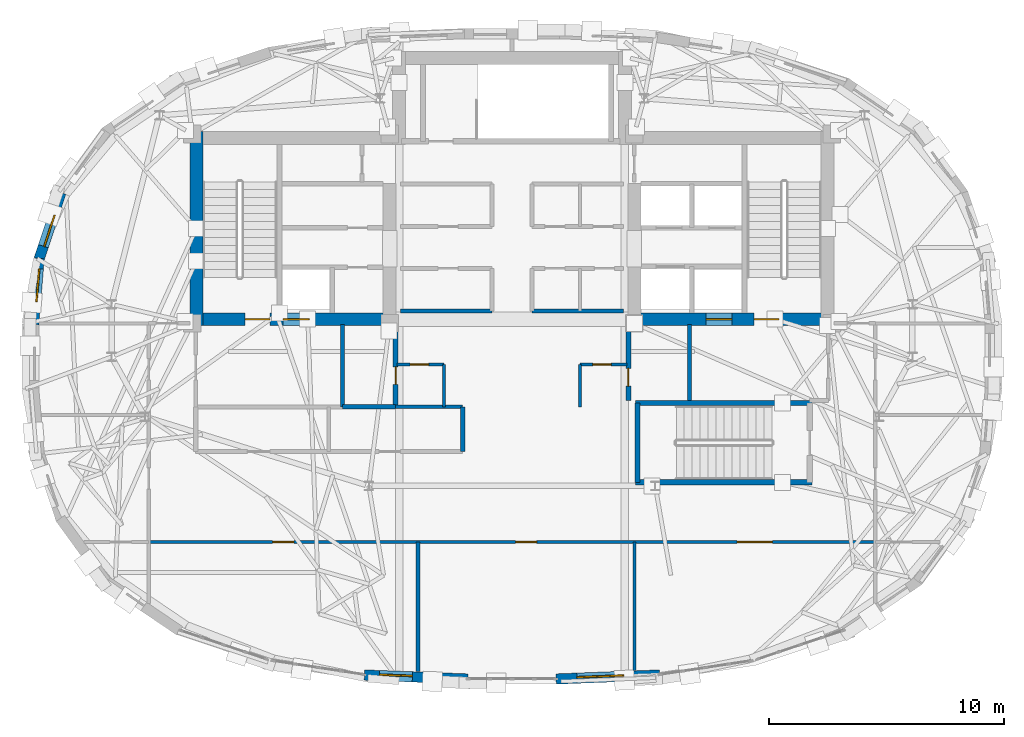
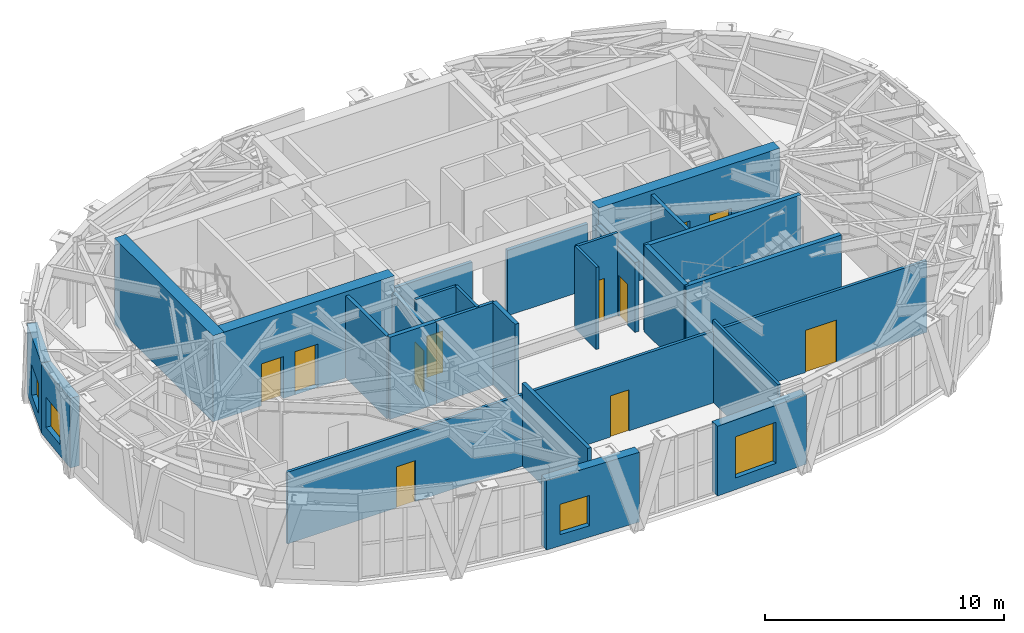
# One storey, part 10 of 16: 26 walls, 11 doors, 4 windows, 15 openings.
"""IFC4 building model written with IfcOpenShell, lengths in metres."""

from ifc_helpers import new_model, si_unit, direction, frame, frame_2d, origin, place, context, subcontext, project, spatial, rectangle, extrude, material, layer, layer_set, type_object, element, fill, save


model = new_model("IFC4")

# Units and contexts
model_context = context("Model", 3, precision=1e-05, world=origin(), true_north=direction((0.0, 1.0)))
body_context = subcontext(model_context, "Body", "Model", "MODEL_VIEW")
ifc_project = project(units=[si_unit("LENGTHUNIT", "METRE"), si_unit("AREAUNIT", "SQUARE_METRE"), si_unit("VOLUMEUNIT", "CUBIC_METRE"), si_unit("PLANEANGLEUNIT", "RADIAN"), si_unit("MASSUNIT", "GRAM", prefix="KILO")], contexts=[model_context])

# Site, building, storey
site_placement = place(None, origin())
site = spatial("IfcSite", under=ifc_project, at=site_placement, CompositionType="ELEMENT")
building_placement = place(site_placement, origin())
building = spatial("IfcBuilding", under=site, at=building_placement, Name="Keldmark Tower", CompositionType="ELEMENT")
storey_placement = place(building_placement, frame((0.0, 0.0, 264.800048828125)))
storey = spatial("IfcBuildingStorey", under=building, at=storey_placement, Name="L75", CompositionType="ELEMENT", Elevation=264.800048828125)

# Wall, openings, doors
ifc_material_1 = material(Name="Acoustic Double-Layer Gypsum Corridor Partition", Category="gypsum")
ifc_layer_1 = layer(ifc_material_1, 0.139892578125)
ifc_layer_set_1 = layer_set([ifc_layer_1], Name="Acoustic Double-Layer Gypsum Corridor Partition")
wall_type_1 = type_object("IfcWallType", Name="Acoustic Corridor Partition 140 mm", PredefinedType="PARTITIONING", material=ifc_layer_set_1)
wall_1_placement = place(storey_placement, frame((-15.449951171875, -7.89990234375, 0.0), z_axis=(0.0, 0.0, 1.0), x_axis=(1.0, 0.0, 0.0)))
wall_1 = element("IfcWall", 1, at=wall_1_placement, inside=storey, type_object=wall_type_1, Name="L75 Acoustic Corridor Partition 140 mm COR-S", PredefinedType="PARTITIONING", context=body_context, shape_type="SweptSolid", body=[
    extrude(rectangle(XDim=30.89990234375, YDim=0.139892578125, at=frame_2d((15.449951171875, 0.0))), origin(), (0.0, 0.0, 1.0), 3.660888671875),
])
opening_1_placement = place(wall_1_placement, frame((5.27490234375, 0.0, 0.0)))
opening_1 = element("IfcOpeningElement", 2, at=opening_1_placement, cuts=wall_1, Name="Opening D-IN090", PredefinedType="OPENING", context=body_context, shape_type="SweptSolid", body=[
    extrude(rectangle(XDim=0.89990234375, YDim=2.10009765625, at=frame_2d((0.449951171875, 1.050048828125))), frame((0.0, 0.079833984375, 0.0), z_axis=(0.0, -1.0, 0.0), x_axis=(1.0, 0.0, 0.0)), (0.0, 0.0, 1.0), 0.159912109375),
])
opening_2_placement = place(wall_1_placement, frame((15.60009765625, 0.0, 0.0)))
opening_2 = element("IfcOpeningElement", 3, at=opening_2_placement, cuts=wall_1, Name="Opening D-IN090", PredefinedType="OPENING", context=body_context, shape_type="SweptSolid", body=[
    extrude(rectangle(XDim=0.89990234375, YDim=2.10009765625, at=frame_2d((0.449951171875, 1.050048828125))), frame((0.0, 0.079833984375, 0.0), z_axis=(0.0, -1.0, 0.0), x_axis=(1.0, 0.0, 0.0)), (0.0, 0.0, 1.0), 0.159912109375),
])
opening_3_placement = place(wall_1_placement, frame((25.02490234375, 0.0, 0.0)))
opening_3 = element("IfcOpeningElement", 4, at=opening_3_placement, cuts=wall_1, Name="Opening D-CF150", PredefinedType="OPENING", context=body_context, shape_type="SweptSolid", body=[
    extrude(rectangle(XDim=1.5, YDim=2.14990234375, at=frame_2d((0.75, 1.074951171875))), frame((0.0, 0.079833984375, 0.0), z_axis=(0.0, -1.0, 0.0), x_axis=(1.0, 0.0, 0.0)), (0.0, 0.0, 1.0), 0.159912109375),
])
ifc_material_2 = material(Name="Acoustic Timber and Tempered Glass Double Door", Category="wood")
door_type_1 = type_object("IfcDoorType", Name="Conference Double Door 1500x2150", OperationType="DOUBLE_DOOR_SINGLE_SWING", PredefinedType="DOOR", material=ifc_material_2)
door_1_placement = place(opening_3_placement, origin())
door_1 = element("IfcDoor", 5, at=door_1_placement, inside=storey, type_object=door_type_1, Name="L75 Conference Double Door 1500x2150 D-SR-3-L75", OperationType="DOUBLE_DOOR_SINGLE_SWING", OverallHeight=2.14990234375, OverallWidth=1.5, PredefinedType="DOOR", context=body_context, shape_type="SweptSolid", body=[
    extrude(rectangle(XDim=1.5, YDim=2.14990234375, at=frame_2d((0.75, 1.074951171875))), frame((0.0, 0.02490234375, 0.0), z_axis=(0.0, -1.0, 0.0), x_axis=(1.0, 0.0, 0.0)), (0.0, 0.0, 1.0), 0.050048828125),
])
fill(opening_3, door_1)
ifc_material_3 = material(Name="Stained American White Oak Veneer", Category="wood")
door_type_2 = type_object("IfcDoorType", Name="Interior Door 900x2100", OperationType="NOTDEFINED", PredefinedType="DOOR", material=ifc_material_3)
door_2_placement = place(opening_1_placement, origin())
door_2 = element("IfcDoor", 6, at=door_2_placement, inside=storey, type_object=door_type_2, Name="L75 Interior Door 900x2100 D-SR-1-L75", OperationType="SINGLE_SWING_LEFT", OverallHeight=2.10009765625, OverallWidth=0.89990234375, PredefinedType="DOOR", context=body_context, shape_type="SweptSolid", body=[
    extrude(rectangle(XDim=0.89990234375, YDim=2.10009765625, at=frame_2d((0.449951171875, 1.050048828125))), frame((0.0, 0.02490234375, 0.0), z_axis=(0.0, -1.0, 0.0), x_axis=(1.0, 0.0, 0.0)), (0.0, 0.0, 1.0), 0.050048828125),
])
fill(opening_1, door_2)
door_3_placement = place(opening_2_placement, origin())
door_3 = element("IfcDoor", 7, at=door_3_placement, inside=storey, type_object=door_type_2, Name="L75 Interior Door 900x2100 D-SR-2-L75", OperationType="SINGLE_SWING_RIGHT", OverallHeight=2.10009765625, OverallWidth=0.89990234375, PredefinedType="DOOR", context=body_context, shape_type="SweptSolid", body=[
    extrude(rectangle(XDim=0.89990234375, YDim=2.10009765625, at=frame_2d((0.449951171875, 1.050048828125))), frame((0.0, 0.02490234375, 0.0), z_axis=(0.0, -1.0, 0.0), x_axis=(1.0, 0.0, 0.0)), (0.0, 0.0, 1.0), 0.050048828125),
])
fill(opening_2, door_3)

# Walls
ifc_material_4 = material(Name="STC-58 Insulated Tenant Demising Gypsum Partition", Category="gypsum")
ifc_layer_2 = layer(ifc_material_4, 0.175048828125)
ifc_layer_set_2 = layer_set([ifc_layer_2], Name="STC-58 Insulated Tenant Demising Gypsum Partition")
wall_type_2 = type_object("IfcWallType", Name="Demising Suite Partition 175 mm", PredefinedType="PARTITIONING", material=ifc_layer_set_2)
wall_2_placement = place(storey_placement, frame((-4.0, -13.41455078125, 0.0), z_axis=(0.0, 0.0, 1.0), x_axis=(0.0, 1.0, 0.0)))
element("IfcWall", 8, at=wall_2_placement, inside=storey, type_object=wall_type_2, Name="L75 Demising Suite Partition 175 mm S-DIV-1", PredefinedType="PARTITIONING", context=body_context, shape_type="SweptSolid", body=[
    extrude(rectangle(XDim=5.5146484375, YDim=0.175048828125, at=frame_2d((2.75732421875, 0.0))), origin(), (0.0, 0.0, 1.0), 4.199951171875),
])
ifc_material_5 = material(Name="Heavy Acoustic Plumbing Chase Gypsum Assembly", Category="gypsum")
ifc_layer_3 = layer(ifc_material_5, 0.18994140625)
ifc_layer_set_3 = layer_set([ifc_layer_3], Name="Heavy Acoustic Plumbing Chase Gypsum Assembly")
wall_type_3 = type_object("IfcWallType", Name="Heavy Wet Wall 190 mm", PredefinedType="PLUMBINGWALL", material=ifc_layer_set_3)
wall_3_placement = place(storey_placement, frame((-2.10009765625, -4.050048828125, 0.0), z_axis=(0.0, 0.0, 1.0), x_axis=(0.0, 1.0, 0.0)))
element("IfcWall", 9, at=wall_3_placement, inside=storey, type_object=wall_type_3, Name="L75 Heavy Wet Wall 190 mm SPK-W-E", PredefinedType="PLUMBINGWALL", context=body_context, shape_type="SweptSolid", body=[
    extrude(rectangle(XDim=1.900146484375, YDim=0.18994140625, at=frame_2d((0.9501953125, 0.0))), origin(), (0.0, 0.0, 1.0), 4.199951171875),
])
ifc_material_6 = material(Name="Concrete C50/60", Category="concrete")
ifc_layer_4 = layer(ifc_material_6, 0.550048828125)
ifc_layer_set_4 = layer_set([ifc_layer_4], Name="Concrete C50/60")
wall_type_4 = type_object("IfcWallType", Name="High-Rise Core Shear Wall 550 mm", PredefinedType="SHEAR", material=ifc_layer_set_4)
wall_4_placement = place(storey_placement, frame((-13.425048828125, 1.300048828125, 0.0), z_axis=(0.0, 0.0, 1.0), x_axis=(0.0, 1.0, 0.0)))
element("IfcWall", 10, at=wall_4_placement, inside=storey, type_object=wall_type_4, Name="L75 West Core Outer Shear Wall", PredefinedType="SHEAR", context=body_context, shape_type="SweptSolid", body=[
    extrude(rectangle(XDim=8.25, YDim=0.550048828125, at=frame_2d((4.125, 0.0))), origin(), (0.0, 0.0, 1.0), 4.39990234375),
])

# Wall, openings, doors
wall_5_placement = place(storey_placement, frame((-4.925048828125, 1.574951171875, 0.0), z_axis=(0.0, 0.0, 1.0), x_axis=(-1.0, 0.0, 0.0)))
wall_5 = element("IfcWall", 11, at=wall_5_placement, inside=storey, type_object=wall_type_4, Name="L75 West Core South Shear Wall", PredefinedType="SHEAR", context=body_context, shape_type="SweptSolid", body=[
    extrude(rectangle(XDim=8.77490234375, YDim=0.550048828125, at=frame_2d((4.387451171875, 0.0))), origin(), (0.0, 0.0, 1.0), 4.39990234375),
])
opening_4_placement = place(wall_5_placement, frame((5.375, 0.0, 0.0)))
opening_4 = element("IfcOpeningElement", 12, at=opening_4_placement, cuts=wall_5, Name="Opening D-ST105", PredefinedType="OPENING", context=body_context, shape_type="SweptSolid", body=[
    extrude(rectangle(XDim=1.050048828125, YDim=2.14990234375, at=frame_2d((0.52490234375, 1.074951171875))), frame((0.0, 0.284912109375, 0.0), z_axis=(0.0, -1.0, 0.0), x_axis=(1.0, 0.0, 0.0)), (0.0, 0.0, 1.0), 0.570068359375),
])
opening_5_placement = place(wall_5_placement, frame((3.705078125, 0.0, 0.0)))
opening_5 = element("IfcOpeningElement", 13, at=opening_5_placement, cuts=wall_5, Name="Opening LD-110", PredefinedType="OPENING", context=body_context, shape_type="SweptSolid", body=[
    extrude(rectangle(XDim=1.10009765625, YDim=2.199951171875, at=frame_2d((0.550048828125, 1.10009765625))), frame((0.0, 0.284912109375, 0.0), z_axis=(0.0, -1.0, 0.0), x_axis=(1.0, 0.0, 0.0)), (0.0, 0.0, 1.0), 0.570068359375),
])
ifc_material_7 = material(Name="Brushed Bronze Hoistway Sliding Leaf", Category="metal")
door_type_3 = type_object("IfcDoorType", Name="Lift Landing Sliding Door 1100x2200", OperationType="SLIDING_TO_LEFT", PredefinedType="DOOR", material=ifc_material_7)
door_4_placement = place(opening_5_placement, origin())
door_4 = element("IfcDoor", 14, at=door_4_placement, inside=storey, type_object=door_type_3, Name="L75 Lift Landing Sliding Door 1100x2200 LD-EL-FS1-L75", OperationType="SLIDING_TO_LEFT", OverallHeight=2.199951171875, OverallWidth=1.10009765625, PredefinedType="DOOR", context=body_context, shape_type="SweptSolid", body=[
    extrude(rectangle(XDim=1.10009765625, YDim=2.199951171875, at=frame_2d((0.550048828125, 1.10009765625))), frame((0.0, 0.02490234375, 0.0), z_axis=(0.0, -1.0, 0.0), x_axis=(1.0, 0.0, 0.0)), (0.0, 0.0, 1.0), 0.050048828125),
])
fill(opening_5, door_4)
ifc_material_8 = material(Name="Hollow Metal Fire-Rated Door Assembly", Category="metal")
door_type_4 = type_object("IfcDoorType", Name="Stair Fire Door 1050x2150", OperationType="NOTDEFINED", PredefinedType="DOOR", material=ifc_material_8)
door_5_placement = place(opening_4_placement, origin())
door_5 = element("IfcDoor", 15, at=door_5_placement, inside=storey, type_object=door_type_4, Name="L75 Stair Fire Door 1050x2150 D-ST1-L75", OperationType="SINGLE_SWING_RIGHT", OverallHeight=2.14990234375, OverallWidth=1.050048828125, PredefinedType="DOOR", context=body_context, shape_type="SweptSolid", body=[
    extrude(rectangle(XDim=1.050048828125, YDim=2.14990234375, at=frame_2d((0.52490234375, 1.074951171875))), frame((0.0, 0.02490234375, 0.0), z_axis=(0.0, -1.0, 0.0), x_axis=(1.0, 0.0, 0.0)), (0.0, 0.0, 1.0), 0.050048828125),
])
fill(opening_4, door_5)

wall_6_placement = place(storey_placement, frame((13.699951171875, 1.574951171875, 0.0), z_axis=(0.0, 0.0, 1.0), x_axis=(-1.0, 0.0, 0.0)))
wall_6 = element("IfcWall", 16, at=wall_6_placement, inside=storey, type_object=wall_type_4, Name="L75 East Core South Shear Wall", PredefinedType="SHEAR", context=body_context, shape_type="SweptSolid", body=[
    extrude(rectangle(XDim=8.77490234375, YDim=0.550048828125, at=frame_2d((4.387451171875, 0.0))), origin(), (0.0, 0.0, 1.0), 4.39990234375),
])
opening_6_placement = place(wall_6_placement, frame((2.35009765625, 0.0, 0.0)))
opening_6 = element("IfcOpeningElement", 17, at=opening_6_placement, cuts=wall_6, Name="Opening D-ST105", PredefinedType="OPENING", context=body_context, shape_type="SweptSolid", body=[
    extrude(rectangle(XDim=1.050048828125, YDim=2.14990234375, at=frame_2d((0.52490234375, 1.074951171875))), frame((0.0, 0.284912109375, 0.0), z_axis=(0.0, -1.0, 0.0), x_axis=(1.0, 0.0, 0.0)), (0.0, 0.0, 1.0), 0.570068359375),
])
opening_7_placement = place(wall_6_placement, frame((4.35009765625, 0.0, 0.0)))
opening_7 = element("IfcOpeningElement", 18, at=opening_7_placement, cuts=wall_6, Name="Opening LD-110", PredefinedType="OPENING", context=body_context, shape_type="SweptSolid", body=[
    extrude(rectangle(XDim=1.10009765625, YDim=2.199951171875, at=frame_2d((0.550048828125, 1.10009765625))), frame((0.0, 0.284912109375, 0.0), z_axis=(0.0, -1.0, 0.0), x_axis=(1.0, 0.0, 0.0)), (0.0, 0.0, 1.0), 0.570068359375),
])
door_6_placement = place(opening_7_placement, origin())
door_6 = element("IfcDoor", 19, at=door_6_placement, inside=storey, type_object=door_type_3, Name="L75 Lift Landing Sliding Door 1100x2200 LD-EL-FS2-L75", OperationType="SLIDING_TO_LEFT", OverallHeight=2.199951171875, OverallWidth=1.10009765625, PredefinedType="DOOR", context=body_context, shape_type="SweptSolid", body=[
    extrude(rectangle(XDim=1.10009765625, YDim=2.199951171875, at=frame_2d((0.550048828125, 1.10009765625))), frame((0.0, 0.02490234375, 0.0), z_axis=(0.0, -1.0, 0.0), x_axis=(1.0, 0.0, 0.0)), (0.0, 0.0, 1.0), 0.050048828125),
])
fill(opening_7, door_6)
door_7_placement = place(opening_6_placement, origin())
door_7 = element("IfcDoor", 20, at=door_7_placement, inside=storey, type_object=door_type_4, Name="L75 Stair Fire Door 1050x2150 D-ST2-L75", OperationType="SINGLE_SWING_LEFT", OverallHeight=2.14990234375, OverallWidth=1.050048828125, PredefinedType="DOOR", context=body_context, shape_type="SweptSolid", body=[
    extrude(rectangle(XDim=1.050048828125, YDim=2.14990234375, at=frame_2d((0.52490234375, 1.074951171875))), frame((0.0, 0.02490234375, 0.0), z_axis=(0.0, -1.0, 0.0), x_axis=(1.0, 0.0, 0.0)), (0.0, 0.0, 1.0), 0.050048828125),
])
fill(opening_6, door_7)

# Wall, opening, door
ifc_material_9 = material(Name="Acoustic Gypsum Board Interior Partition", Category="gypsum")
ifc_layer_5 = layer(ifc_material_9, 0.1298828125)
ifc_layer_set_5 = layer_set([ifc_layer_5], Name="Acoustic Gypsum Board Interior Partition")
wall_type_5 = type_object("IfcWallType", Name="Interior Partition 130 mm", PredefinedType="PARTITIONING", material=ifc_layer_set_5)
wall_7_placement = place(storey_placement, frame((-4.8798828125, -0.35009765625, 0.0), z_axis=(0.0, 0.0, 1.0), x_axis=(1.0, 0.0, 0.0)))
wall_7 = element("IfcWall", 21, at=wall_7_placement, inside=storey, type_object=wall_type_5, Name="L75 Interior Partition 130 mm CSC-W-N", PredefinedType="PARTITIONING", context=body_context, shape_type="SweptSolid", body=[
    extrude(rectangle(XDim=1.989990234375, YDim=0.1298828125, at=frame_2d((0.9951171875, 0.0))), origin(), (0.0, 0.0, 1.0), 4.199951171875),
])
opening_8_placement = place(wall_7_placement, frame((0.550048828125, 0.0, 0.0)))
opening_8 = element("IfcOpeningElement", 22, at=opening_8_placement, cuts=wall_7, Name="Opening D-CL078", PredefinedType="OPENING", context=body_context, shape_type="SweptSolid", body=[
    extrude(rectangle(XDim=0.780029296875, YDim=2.10009765625, at=frame_2d((0.39013671875, 1.050048828125))), frame((0.0, 0.074951171875, 0.0), z_axis=(0.0, -1.0, 0.0), x_axis=(1.0, 0.0, 0.0)), (0.0, 0.0, 1.0), 0.14990234375),
])
ifc_material_10 = material(Name="Flush Utility Closet Timber Door", Category="wood")
door_type_5 = type_object("IfcDoorType", Name="Closet Door 780x2100", OperationType="NOTDEFINED", PredefinedType="DOOR", material=ifc_material_10)
door_8_placement = place(opening_8_placement, origin())
door_8 = element("IfcDoor", 23, at=door_8_placement, inside=storey, type_object=door_type_5, Name="L75 Closet Door 780x2100 D-CSCW1-L75", OperationType="SINGLE_SWING_LEFT", OverallHeight=2.10009765625, OverallWidth=0.780029296875, PredefinedType="DOOR", context=body_context, shape_type="SweptSolid", body=[
    extrude(rectangle(XDim=0.780029296875, YDim=2.10009765625, at=frame_2d((0.39013671875, 1.050048828125))), frame((0.0, 0.02490234375, 0.0), z_axis=(0.0, -1.0, 0.0), x_axis=(1.0, 0.0, 0.0)), (0.0, 0.0, 1.0), 0.050048828125),
])
fill(opening_8, door_8)

# Wall
wall_8_placement = place(storey_placement, frame((-2.889892578125, -2.14990234375, 0.0), z_axis=(0.0, 0.0, 1.0), x_axis=(0.0, 1.0, 0.0)))
element("IfcWall", 24, at=wall_8_placement, inside=storey, type_object=wall_type_5, Name="L75 Interior Partition 130 mm CSC-W-E", PredefinedType="PARTITIONING", context=body_context, shape_type="SweptSolid", body=[
    extrude(rectangle(XDim=1.7998046875, YDim=0.1298828125, at=frame_2d((0.89990234375, 0.0))), origin(), (0.0, 0.0, 1.0), 4.199951171875),
])

# Wall, opening, door
wall_9_placement = place(storey_placement, frame((2.889892578125, -0.35009765625, 0.0), z_axis=(0.0, 0.0, 1.0), x_axis=(1.0, 0.0, 0.0)))
wall_9 = element("IfcWall", 25, at=wall_9_placement, inside=storey, type_object=wall_type_5, Name="L75 Interior Partition 130 mm CSC-E-N", PredefinedType="PARTITIONING", context=body_context, shape_type="SweptSolid", body=[
    extrude(rectangle(XDim=1.989990234375, YDim=0.1298828125, at=frame_2d((0.9951171875, 0.0))), origin(), (0.0, 0.0, 1.0), 4.199951171875),
])
opening_9_placement = place(wall_9_placement, frame((0.550048828125, 0.0, 0.0)))
opening_9 = element("IfcOpeningElement", 26, at=opening_9_placement, cuts=wall_9, Name="Opening D-CL078", PredefinedType="OPENING", context=body_context, shape_type="SweptSolid", body=[
    extrude(rectangle(XDim=0.780029296875, YDim=2.10009765625, at=frame_2d((0.39013671875, 1.050048828125))), frame((0.0, 0.074951171875, 0.0), z_axis=(0.0, -1.0, 0.0), x_axis=(1.0, 0.0, 0.0)), (0.0, 0.0, 1.0), 0.14990234375),
])
door_9_placement = place(opening_9_placement, origin())
door_9 = element("IfcDoor", 27, at=door_9_placement, inside=storey, type_object=door_type_5, Name="L75 Closet Door 780x2100 D-CSCE1-L75", OperationType="SINGLE_SWING_RIGHT", OverallHeight=2.10009765625, OverallWidth=0.780029296875, PredefinedType="DOOR", context=body_context, shape_type="SweptSolid", body=[
    extrude(rectangle(XDim=0.780029296875, YDim=2.10009765625, at=frame_2d((0.39013671875, 1.050048828125))), frame((0.0, 0.02490234375, 0.0), z_axis=(0.0, -1.0, 0.0), x_axis=(1.0, 0.0, 0.0)), (0.0, 0.0, 1.0), 0.050048828125),
])
fill(opening_9, door_9)

# Walls
wall_10_placement = place(storey_placement, frame((2.889892578125, -2.14990234375, 0.0), z_axis=(0.0, 0.0, 1.0), x_axis=(0.0, 1.0, 0.0)))
element("IfcWall", 28, at=wall_10_placement, inside=storey, type_object=wall_type_5, Name="L75 Interior Partition 130 mm CSC-E-W", PredefinedType="PARTITIONING", context=body_context, shape_type="SweptSolid", body=[
    extrude(rectangle(XDim=1.7998046875, YDim=0.1298828125, at=frame_2d((0.89990234375, 0.0))), origin(), (0.0, 0.0, 1.0), 4.199951171875),
])
wall_11_placement = place(storey_placement, frame((5.199951171875, -13.3681640625, 0.0), z_axis=(0.0, 0.0, 1.0), x_axis=(0.0, 1.0, 0.0)))
element("IfcWall", 29, at=wall_11_placement, inside=storey, type_object=wall_type_5, Name="L75 Interior Partition 130 mm S-DIV-2", PredefinedType="PARTITIONING", context=body_context, shape_type="SweptSolid", body=[
    extrude(rectangle(XDim=5.46826171875, YDim=0.1298828125, at=frame_2d((2.734130859375, 0.0))), origin(), (0.0, 0.0, 1.0), 4.199951171875),
])
ifc_material_11 = material(Name="Type X Fire-Rated Gypsum Partition Assembly", Category="gypsum")
ifc_layer_6 = layer(ifc_material_11, 0.1650390625)
ifc_layer_set_6 = layer_set([ifc_layer_6], Name="Type X Fire-Rated Gypsum Partition Assembly")
wall_type_6 = type_object("IfcWallType", Name="Rated Partition 165 mm", PredefinedType="PARTITIONING", material=ifc_layer_set_6)
wall_12_placement = place(storey_placement, frame((-7.199951171875, -2.14990234375, 0.0), z_axis=(0.0, 0.0, 1.0), x_axis=(0.0, 1.0, 0.0)))
element("IfcWall", 30, at=wall_12_placement, inside=storey, type_object=wall_type_6, Name="L75 Rated Partition 165 mm FSAE-W-E", PredefinedType="PARTITIONING", context=body_context, shape_type="SweptSolid", body=[
    extrude(rectangle(XDim=3.5, YDim=0.1650390625, at=frame_2d((1.75, 0.0))), origin(), (0.0, 0.0, 1.0), 4.199951171875),
])
wall_13_placement = place(storey_placement, frame((7.550048828125, -1.8798828125, 0.0), z_axis=(0.0, 0.0, 1.0), x_axis=(0.0, 1.0, 0.0)))
element("IfcWall", 31, at=wall_13_placement, inside=storey, type_object=wall_type_6, Name="L75 Rated Partition 165 mm FSAE-E-W", PredefinedType="PARTITIONING", context=body_context, shape_type="SweptSolid", body=[
    extrude(rectangle(XDim=3.22998046875, YDim=0.1650390625, at=frame_2d((1.614990234375, 0.0))), origin(), (0.0, 0.0, 1.0), 4.199951171875),
])
for number, where, z_axis, x_axis, name in (
    (32, (-4.739990234375, 1.919921875, 0.0), (0.0, 0.0, 1.0), (1.0, 0.0, 0.0), "L75 Rated Partition 165 mm REC-LW-S"),
    (33, (0.85009765625, 1.919921875, 0.0), (0.0, 0.0, 1.0), (1.0, 0.0, 0.0), "L75 Rated Partition 165 mm REC-LE-S"),
):
    element("IfcWall", number, at=place(storey_placement, frame(where, z_axis=z_axis, x_axis=x_axis)), inside=storey, type_object=wall_type_6, Name=name, PredefinedType="PARTITIONING", context=body_context, shape_type="SweptSolid", body=[
        extrude(rectangle(XDim=3.889892578125, YDim=0.1650390625, at=frame_2d((1.94482421875, 0.0))), origin(), (0.0, 0.0, 1.0), 3.33984375),
    ])
ifc_material_12 = material(Name="Fire-Resistant Type X Gypsum Shaftliner Coreboard", Category="gypsum")
ifc_layer_7 = layer(ifc_material_12, 0.199951171875)
ifc_layer_set_7 = layer_set([ifc_layer_7], Name="Fire-Resistant Type X Gypsum Shaftliner Coreboard")
wall_type_7 = type_object("IfcWallType", Name="Shaft Wall 200 mm", PredefinedType="SOLIDWALL", material=ifc_layer_set_7)
wall_14_placement = place(storey_placement, frame((-7.199951171875, -2.14990234375, 0.0), z_axis=(0.0, 0.0, 1.0), x_axis=(1.0, 0.0, 0.0)))
element("IfcWall", 34, at=wall_14_placement, inside=storey, type_object=wall_type_7, Name="L75 Shaft Wall 200 mm RIS-SW-S", PredefinedType="SOLIDWALL", context=body_context, shape_type="SweptSolid", body=[
    extrude(rectangle(XDim=2.25, YDim=0.199951171875, at=frame_2d((1.125, 0.0))), origin(), (0.0, 0.0, 1.0), 4.199951171875),
])

# Wall, opening, door
wall_15_placement = place(storey_placement, frame((-4.949951171875, -2.14990234375, 0.0), z_axis=(0.0, 0.0, 1.0), x_axis=(0.0, 1.0, 0.0)))
wall_15 = element("IfcWall", 35, at=wall_15_placement, inside=storey, type_object=wall_type_7, Name="L75 Shaft Wall 200 mm RIS-SW-E", PredefinedType="SOLIDWALL", context=body_context, shape_type="SweptSolid", body=[
    extrude(rectangle(XDim=3.5, YDim=0.199951171875, at=frame_2d((1.75, 0.0))), origin(), (0.0, 0.0, 1.0), 3.56787109375),
])
opening_10_placement = place(wall_15_placement, frame((0.949951171875, 0.0, 0.0)))
opening_10 = element("IfcOpeningElement", 36, at=opening_10_placement, cuts=wall_15, Name="Opening D-RS075", PredefinedType="OPENING", context=body_context, shape_type="SweptSolid", body=[
    extrude(rectangle(XDim=0.75, YDim=2.10009765625, at=frame_2d((0.375, 1.050048828125))), frame((0.0, 0.10986328125, 0.0), z_axis=(0.0, -1.0, 0.0), x_axis=(1.0, 0.0, 0.0)), (0.0, 0.0, 1.0), 0.219970703125),
])
ifc_material_13 = material(Name="Galvanized Fire-Rated Access Leaf", Category="metal")
door_type_6 = type_object("IfcDoorType", Name="Riser Access Door 750x2100", OperationType="NOTDEFINED", PredefinedType="DOOR", material=ifc_material_13)
door_10_placement = place(opening_10_placement, origin())
door_10 = element("IfcDoor", 37, at=door_10_placement, inside=storey, type_object=door_type_6, Name="L75 Riser Access Door 750x2100 D-RISSW-L75", OperationType="SINGLE_SWING_RIGHT", OverallHeight=2.10009765625, OverallWidth=0.75, PredefinedType="DOOR", context=body_context, shape_type="SweptSolid", body=[
    extrude(rectangle(XDim=0.75, YDim=2.10009765625, at=frame_2d((0.375, 1.050048828125))), frame((0.0, 0.02490234375, 0.0), z_axis=(0.0, -1.0, 0.0), x_axis=(1.0, 0.0, 0.0)), (0.0, 0.0, 1.0), 0.050048828125),
])
fill(opening_10, door_10)

wall_16_placement = place(storey_placement, frame((4.949951171875, -1.8798828125, 0.0), z_axis=(0.0, 0.0, 1.0), x_axis=(0.0, 1.0, 0.0)))
wall_16 = element("IfcWall", 38, at=wall_16_placement, inside=storey, type_object=wall_type_7, Name="L75 Shaft Wall 200 mm RIS-SE-W", PredefinedType="SOLIDWALL", context=body_context, shape_type="SweptSolid", body=[
    extrude(rectangle(XDim=3.22998046875, YDim=0.199951171875, at=frame_2d((1.614990234375, 0.0))), origin(), (0.0, 0.0, 1.0), 3.56787109375),
])
opening_11_placement = place(wall_16_placement, frame((0.610107421875, 0.0, 0.0)))
opening_11 = element("IfcOpeningElement", 39, at=opening_11_placement, cuts=wall_16, Name="Opening D-RS075", PredefinedType="OPENING", context=body_context, shape_type="SweptSolid", body=[
    extrude(rectangle(XDim=0.75, YDim=2.10009765625, at=frame_2d((0.375, 1.050048828125))), frame((0.0, 0.10986328125, 0.0), z_axis=(0.0, -1.0, 0.0), x_axis=(1.0, 0.0, 0.0)), (0.0, 0.0, 1.0), 0.219970703125),
])
door_11_placement = place(opening_11_placement, origin())
door_11 = element("IfcDoor", 40, at=door_11_placement, inside=storey, type_object=door_type_6, Name="L75 Riser Access Door 750x2100 D-RISSE-L75", OperationType="SINGLE_SWING_RIGHT", OverallHeight=2.10009765625, OverallWidth=0.75, PredefinedType="DOOR", context=body_context, shape_type="SweptSolid", body=[
    extrude(rectangle(XDim=0.75, YDim=2.10009765625, at=frame_2d((0.375, 1.050048828125))), frame((0.0, 0.02490234375, 0.0), z_axis=(0.0, -1.0, 0.0), x_axis=(1.0, 0.0, 0.0)), (0.0, 0.0, 1.0), 0.050048828125),
])
fill(opening_11, door_11)

# Walls
ifc_material_14 = material(Name="Concrete C50/60", Category="concrete")
ifc_layer_8 = layer(ifc_material_14, 0.219970703125)
ifc_layer_set_8 = layer_set([ifc_layer_8], Name="Concrete C50/60")
wall_type_8 = type_object("IfcWallType", Name="Stair Core Shear Wall 220 mm", PredefinedType="SHEAR", material=ifc_layer_set_8)
for number, where, z_axis, x_axis, name in (
    (41, (5.260009765625, -1.989990234375, 0.0), (0.0, 0.0, 1.0), (1.0, 0.0, 0.0), "L75 East Crown Stair ST4 North Wall"),
    (42, (5.260009765625, -5.360107421875, 0.0), (0.0, 0.0, 1.0), (1.0, 0.0, 0.0), "L75 East Crown Stair ST4 South Wall"),
):
    element("IfcWall", number, at=place(storey_placement, frame(where, z_axis=z_axis, x_axis=x_axis)), inside=storey, type_object=wall_type_8, Name=name, PredefinedType="SHEAR", context=body_context, shape_type="SweptSolid", body=[
        extrude(rectangle(XDim=7.5, YDim=0.219970703125, at=frame_2d((3.75, 0.0))), origin(), (0.0, 0.0, 1.0), 4.39990234375),
    ])
wall_17_placement = place(storey_placement, frame((5.330078125, -5.360107421875, 0.0), z_axis=(0.0, 0.0, 1.0), x_axis=(0.0, 1.0, 0.0)))
element("IfcWall", 43, at=wall_17_placement, inside=storey, type_object=wall_type_8, Name="L75 East Crown Stair ST4 West Wall", PredefinedType="SHEAR", context=body_context, shape_type="SweptSolid", body=[
    extrude(rectangle(XDim=3.3701171875, YDim=0.219970703125, at=frame_2d((1.68505859375, 0.0))), origin(), (0.0, 0.0, 1.0), 4.39990234375),
])

# Wall, opening, window
ifc_material_15 = material(Name="Ironspot Manganese Brick and Kasota Buff Limestone Spandrel Assembly", Category="masonry")
ifc_layer_9 = layer(ifc_material_15, 0.43994140625)
ifc_layer_set_9 = layer_set([ifc_layer_9], Name="Ironspot Manganese Brick and Kasota Buff Limestone Spandrel Assembly")
wall_type_9 = type_object("IfcWallType", Name="Tower Brick Pier and Spandrel Wall 440 mm", PredefinedType="STANDARD", material=ifc_layer_set_9)
wall_18_placement = place(storey_placement, frame((-20.11669921875, 4.11083984375, 0.0), z_axis=(0.0, 0.0, 1.0), x_axis=(0.314148979119, 0.949373698245, 0.0)))
wall_18 = element("IfcWall", 44, at=wall_18_placement, inside=storey, type_object=wall_type_9, Name="L75 Exterior Brick and Spandrel Wall 14", PredefinedType="STANDARD", context=body_context, shape_type="SweptSolid", body=[
    extrude(rectangle(XDim=2.995849609375, YDim=0.43994140625, at=frame_2d((1.498046875, 0.0))), origin(), (0.0, 0.0, 1.0), 3.56591796875),
])
opening_12_placement = place(wall_18_placement, frame((0.5986328125, 0.0, 0.580078125)))
opening_12 = element("IfcOpeningElement", 45, at=opening_12_placement, cuts=wall_18, Name="Opening W-08", PredefinedType="OPENING", context=body_context, shape_type="SweptSolid", body=[
    extrude(rectangle(XDim=1.39990234375, YDim=1.550048828125, at=frame_2d((0.699951171875, 0.77490234375))), frame((0.0, 0.22998046875, 0.0), z_axis=(0.0, -1.0, 0.0), x_axis=(1.0, 0.0, 0.0)), (0.0, 0.0, 1.0), 0.4599609375),
])
ifc_material_16 = material(Name="Thermally Broken Anodized Aluminum and Triple Low-E Argon Glazing", Category="aluminium")
window_type_1 = type_object("IfcWindowType", Name="Residential Corner Punched Window 1400x1550", PartitioningType="SINGLE_PANEL", PredefinedType="WINDOW", material=ifc_material_16)
window_1_placement = place(opening_12_placement, origin())
window_1 = element("IfcWindow", 46, at=window_1_placement, inside=storey, type_object=window_type_1, Name="L75 Deep-Set Window 14", OverallHeight=1.550048828125, OverallWidth=1.39990234375, PartitioningType="SINGLE_PANEL", PredefinedType="WINDOW", context=body_context, shape_type="SweptSolid", body=[
    extrude(rectangle(XDim=1.39990234375, YDim=1.550048828125, at=frame_2d((0.699951171875, 0.77490234375))), frame((0.0, -0.010009765625, 0.0), z_axis=(0.0, -1.0, 0.0), x_axis=(1.0, 0.0, 0.0)), (0.0, 0.0, 1.0), 0.06005859375),
])
fill(opening_12, window_1)

wall_19_placement = place(storey_placement, frame((-20.342041015625, 1.3544921875, 0.0), z_axis=(0.0, 0.0, 1.0), x_axis=(0.083719665048, 0.996489346498, 0.0)))
wall_19 = element("IfcWall", 47, at=wall_19_placement, inside=storey, type_object=wall_type_9, Name="L75 Exterior Brick and Spandrel Wall 15", PredefinedType="STANDARD", context=body_context, shape_type="SweptSolid", body=[
    extrude(rectangle(XDim=2.817138671875, YDim=0.43994140625, at=frame_2d((1.40869140625, 0.0))), origin(), (0.0, 0.0, 1.0), 3.56591796875),
])
opening_13_placement = place(wall_19_placement, frame((0.974853515625, 0.0, 0.580078125)))
opening_13 = element("IfcOpeningElement", 48, at=opening_13_placement, cuts=wall_19, Name="Opening W-08", PredefinedType="OPENING", context=body_context, shape_type="SweptSolid", body=[
    extrude(rectangle(XDim=1.39990234375, YDim=1.550048828125, at=frame_2d((0.699951171875, 0.77490234375))), frame((0.0, 0.22998046875, 0.0), z_axis=(0.0, -1.0, 0.0), x_axis=(1.0, 0.0, 0.0)), (0.0, 0.0, 1.0), 0.4599609375),
])
window_2_placement = place(opening_13_placement, origin())
window_2 = element("IfcWindow", 49, at=window_2_placement, inside=storey, type_object=window_type_1, Name="L75 Deep-Set Window 15", OverallHeight=1.550048828125, OverallWidth=1.39990234375, PartitioningType="SINGLE_PANEL", PredefinedType="WINDOW", context=body_context, shape_type="SweptSolid", body=[
    extrude(rectangle(XDim=1.39990234375, YDim=1.550048828125, at=frame_2d((0.699951171875, 0.77490234375))), frame((0.0, -0.010009765625, 0.0), z_axis=(0.0, -1.0, 0.0), x_axis=(1.0, 0.0, 0.0)), (0.0, 0.0, 1.0), 0.06005859375),
])
fill(opening_13, window_2)

wall_20_placement = place(storey_placement, frame((-1.876708984375, -13.724609375, 0.0), z_axis=(0.0, 0.0, 1.0), x_axis=(-0.999255266714, 0.038586421751, 0.0)))
wall_20 = element("IfcWall", 50, at=wall_20_placement, inside=storey, type_object=wall_type_9, Name="L75 Exterior Brick and Spandrel Wall 23", PredefinedType="STANDARD", context=body_context, shape_type="SweptSolid", body=[
    extrude(rectangle(XDim=4.403564453125, YDim=0.43994140625, at=frame_2d((2.20166015625, 0.0))), origin(), (0.0, 0.0, 1.0), 3.56591796875),
])
opening_14_placement = place(wall_20_placement, frame((2.361572265625, 0.0, 0.580078125)))
opening_14 = element("IfcOpeningElement", 51, at=opening_14_placement, cuts=wall_20, Name="Opening W-08", PredefinedType="OPENING", context=body_context, shape_type="SweptSolid", body=[
    extrude(rectangle(XDim=1.39990234375, YDim=1.550048828125, at=frame_2d((0.699951171875, 0.77490234375))), frame((0.0, 0.22998046875, 0.0), z_axis=(0.0, -1.0, 0.0), x_axis=(1.0, 0.0, 0.0)), (0.0, 0.0, 1.0), 0.4599609375),
])
window_3_placement = place(opening_14_placement, origin())
window_3 = element("IfcWindow", 52, at=window_3_placement, inside=storey, type_object=window_type_1, Name="L75 Deep-Set Window 23", OverallHeight=1.550048828125, OverallWidth=1.39990234375, PartitioningType="SINGLE_PANEL", PredefinedType="WINDOW", context=body_context, shape_type="SweptSolid", body=[
    extrude(rectangle(XDim=1.39990234375, YDim=1.550048828125, at=frame_2d((0.699951171875, 0.77490234375))), frame((0.0, -0.010009765625, 0.0), z_axis=(0.0, -1.0, 0.0), x_axis=(1.0, 0.0, 0.0)), (0.0, 0.0, 1.0), 0.06005859375),
])
fill(opening_14, window_3)

wall_21_placement = place(storey_placement, frame((6.277099609375, -13.5546875, 0.0), z_axis=(0.0, 0.0, 1.0), x_axis=(-0.999255266714, -0.038586421751, 0.0)))
wall_21 = element("IfcWall", 53, at=wall_21_placement, inside=storey, type_object=wall_type_9, Name="L75 Exterior Brick and Spandrel Wall 25", PredefinedType="STANDARD", context=body_context, shape_type="SweptSolid", body=[
    extrude(rectangle(XDim=4.403564453125, YDim=0.43994140625, at=frame_2d((2.20166015625, 0.0))), origin(), (0.0, 0.0, 1.0), 3.56591796875),
])
opening_15_placement = place(wall_21_placement, frame((1.51953125, 0.0, 0.60009765625)))
opening_15 = element("IfcOpeningElement", 54, at=opening_15_placement, cuts=wall_21, Name="Opening W-06", PredefinedType="OPENING", context=body_context, shape_type="SweptSolid", body=[
    extrude(rectangle(XDim=2.0, YDim=2.10009765625, at=frame_2d((1.0, 1.050048828125))), frame((0.0, 0.22998046875, 0.0), z_axis=(0.0, -1.0, 0.0), x_axis=(1.0, 0.0, 0.0)), (0.0, 0.0, 1.0), 0.4599609375),
])
ifc_material_17 = material(Name="Thermally Broken Anodized Aluminum and Triple Low-E Argon Glazing", Category="aluminium")
window_type_2 = type_object("IfcWindowType", Name="Sky Lounge Tall Punched Window 2000x2100", PartitioningType="SINGLE_PANEL", PredefinedType="WINDOW", material=ifc_material_17)
window_4_placement = place(opening_15_placement, origin())
window_4 = element("IfcWindow", 55, at=window_4_placement, inside=storey, type_object=window_type_2, Name="L75 Deep-Set Window 25", OverallHeight=2.10009765625, OverallWidth=2.0, PartitioningType="SINGLE_PANEL", PredefinedType="WINDOW", context=body_context, shape_type="SweptSolid", body=[
    extrude(rectangle(XDim=2.0, YDim=2.10009765625, at=frame_2d((1.0, 1.050048828125))), frame((0.0, -0.010009765625, 0.0), z_axis=(0.0, -1.0, 0.0), x_axis=(1.0, 0.0, 0.0)), (0.0, 0.0, 1.0), 0.06005859375),
])
fill(opening_15, window_4)

# Wall
ifc_material_18 = material(Name="Moisture-Resistant Gypsum Plumbing Partition", Category="gypsum")
ifc_layer_10 = layer(ifc_material_18, 0.14990234375)
ifc_layer_set_10 = layer_set([ifc_layer_10], Name="Moisture-Resistant Gypsum Plumbing Partition")
wall_type_10 = type_object("IfcWallType", Name="Wet Wall 150 mm", PredefinedType="PLUMBINGWALL", material=ifc_layer_set_10)
wall_22_placement = place(storey_placement, frame((-4.949951171875, -2.14990234375, 0.0), z_axis=(0.0, 0.0, 1.0), x_axis=(1.0, 0.0, 0.0)))
element("IfcWall", 56, at=wall_22_placement, inside=storey, type_object=wall_type_10, Name="L75 Wet Wall 150 mm SPK-W-N", PredefinedType="PLUMBINGWALL", context=body_context, shape_type="SweptSolid", body=[
    extrude(rectangle(XDim=2.849853515625, YDim=0.14990234375, at=frame_2d((1.4248046875, 0.0))), origin(), (0.0, 0.0, 1.0), 4.199951171875),
])

save(model, "model.ifc")
